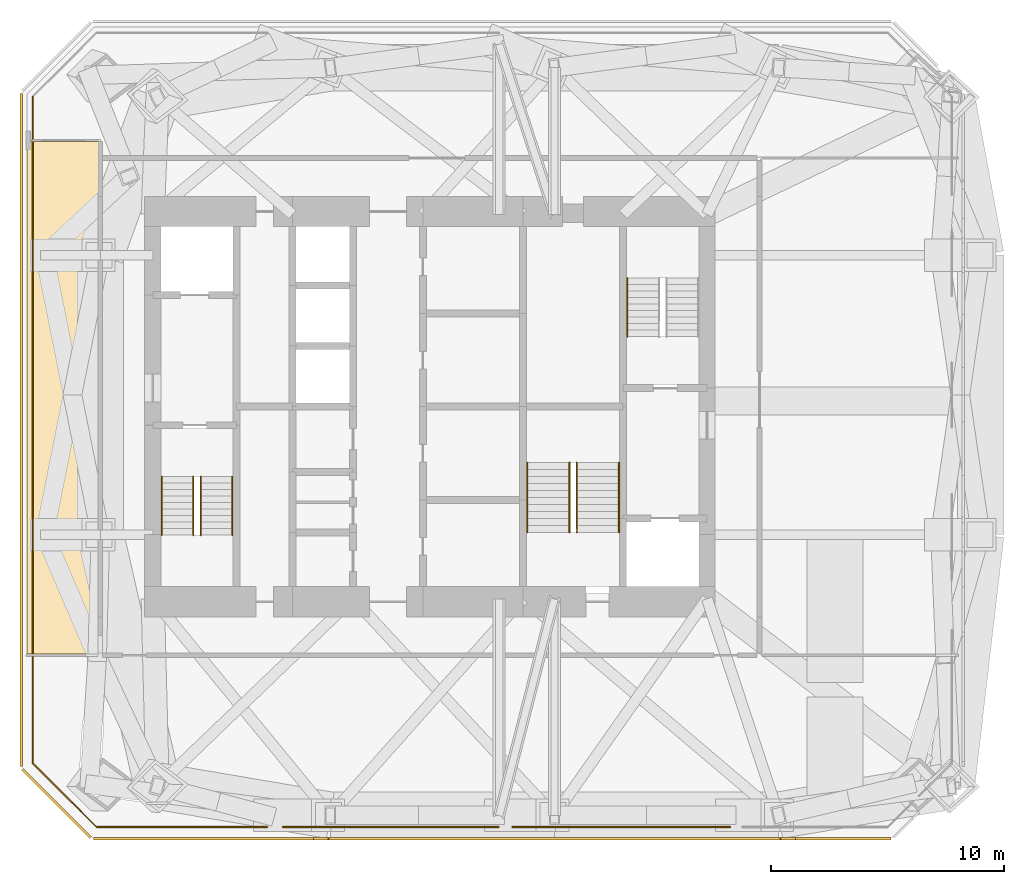
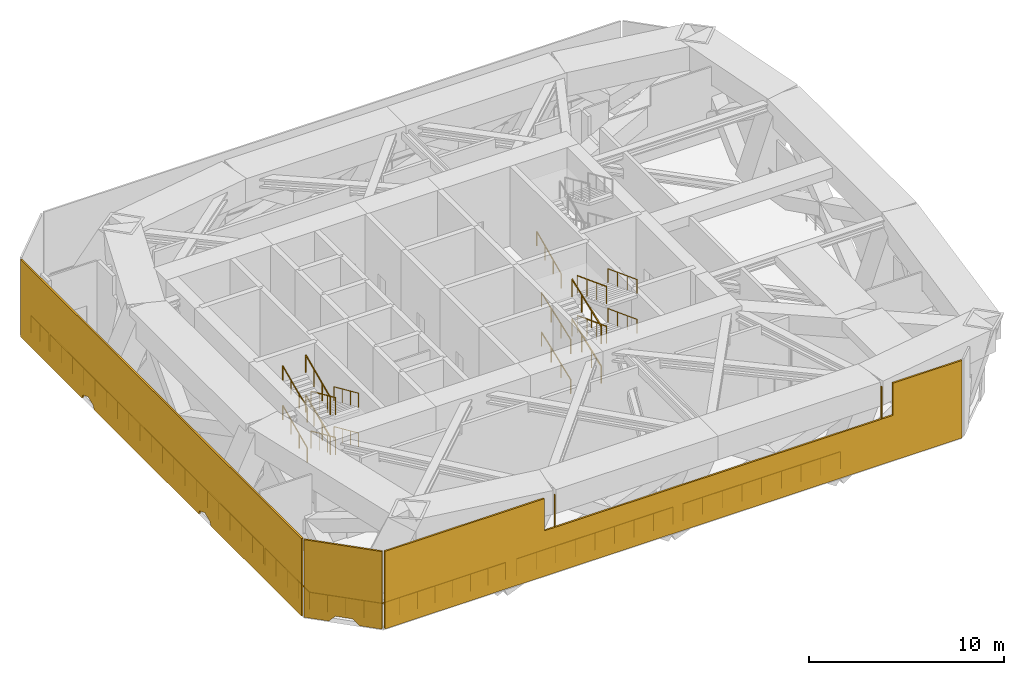
# One storey, part 7 of 9: 24 railings, 3 shading devices, 1 covering.
"""IFC4 building model written with IfcOpenShell, lengths in metres."""

from ifc_helpers import new_model, si_unit, direction, frame, origin, origin_2d, place, context, subcontext, project, spatial, polyline, rectangle, circle, outline, extrude, material, layer, layer_set, constituent, constituent_set, type_object, element, save


model = new_model("IFC4")

# Units and contexts
model_context = context("Model", 3, precision=1e-05, world=origin(), true_north=direction((0.0, 1.0)))
body_context = subcontext(model_context, "Body", "Model", "MODEL_VIEW")
ifc_project = project(units=[si_unit("LENGTHUNIT", "METRE"), si_unit("AREAUNIT", "SQUARE_METRE"), si_unit("VOLUMEUNIT", "CUBIC_METRE"), si_unit("PLANEANGLEUNIT", "RADIAN"), si_unit("MASSUNIT", "GRAM", prefix="KILO")], contexts=[model_context])

# Site, building, storey
site_placement = place(None, origin())
site = spatial("IfcSite", under=ifc_project, at=site_placement, CompositionType="ELEMENT")
building_placement = place(site_placement, origin())
building = spatial("IfcBuilding", under=site, at=building_placement, Name="Jalousie Tower", CompositionType="ELEMENT")
storey_placement = place(building_placement, frame((0.0, 0.0, 212.949951171875)))
storey = spatial("IfcBuildingStorey", under=building, at=storey_placement, Name="L58", CompositionType="ELEMENT", Elevation=212.949951171875)

# Covering
ifc_material_1 = material(Name="Sand-cement screed on resilient layer", Category="concrete")
ifc_layer_1 = layer(ifc_material_1, 0.1201171875)
ifc_layer_set_1 = layer_set([ifc_layer_1], Name="Sand-cement screed on resilient layer")
covering_type = type_object("IfcCoveringType", Name="FLOATING PLANT SCREED 120", PredefinedType="FLOORING", material=ifc_layer_set_1)
covering_placement = place(storey_placement, origin())
element("IfcCovering", 1, at=covering_placement, inside=storey, type_object=covering_type, Name="Floating screed Air handling plant room", PredefinedType="FLOORING", context=body_context, shape_type="SweptSolid", body=[
    extrude(outline(polyline([(14.60009765625, 7.875), (14.60009765625, 29.875), (17.699951171875, 29.875), (17.699951171875, 7.875), (14.60009765625, 7.875)])), origin(), (0.0, 0.0, 1.0), 0.1201171875),
])

# Railings
ifc_material_2 = material(Name="Stainless steel AISI 316", Category="steel")
railing_type_1 = type_object("IfcRailingType", Name="PLANT GUARDRAIL 1100", PredefinedType="GUARDRAIL", material=ifc_material_2)
railing_1_placement = place(storey_placement, frame((17.58642578125, 0.449951171875, 0.0)))
element("IfcRailing", 2, at=railing_1_placement, inside=storey, type_object=railing_type_1, Name="Plant floor guard L58 1", PredefinedType="GUARDRAIL", context=body_context, shape_type="SweptSolid", body=[
    extrude(rectangle(XDim=0.048095703125, YDim=0.048095703125, at=origin_2d()), frame((0.0, 0.0, 1.076171875), z_axis=(-0.707106781187, 0.707106781187, 0.0), x_axis=(-0.707106781187, -0.707106781187, 0.0)), (0.0, 0.0, 1.0), 3.869873046875),
    extrude(circle(Radius=0.02099609375, at=origin_2d()), origin(), (0.0, 0.0, 1.0), 1.052001953125),
    extrude(circle(Radius=0.02099609375, at=origin_2d()), frame((-0.68408203125, 0.68408203125, 0.0)), (0.0, 0.0, 1.0), 1.052001953125),
    extrude(circle(Radius=0.02099609375, at=origin_2d()), frame((-1.3681640625, 1.3681640625, 0.0)), (0.0, 0.0, 1.0), 1.052001953125),
    extrude(circle(Radius=0.02099609375, at=origin_2d()), frame((-2.05224609375, 2.05224609375, 0.0)), (0.0, 0.0, 1.0), 1.052001953125),
    extrude(circle(Radius=0.02099609375, at=origin_2d()), frame((-2.736328125, 2.736328125, 0.0)), (0.0, 0.0, 1.0), 1.052001953125),
])
railing_2_placement = place(storey_placement, frame((14.85009765625, 3.186279296875, 0.0)))
element("IfcRailing", 3, at=railing_2_placement, inside=storey, type_object=railing_type_1, Name="Plant floor guard L58 2", PredefinedType="GUARDRAIL", context=body_context, shape_type="SweptSolid", body=[
    extrude(rectangle(XDim=0.048095703125, YDim=0.048095703125, at=origin_2d()), frame((0.0, 0.0, 1.076171875), z_axis=(0.0, 1.0, 0.0), x_axis=(-1.0, 0.0, 0.0)), (0.0, 0.0, 1.0), 4.568603515625),
    extrude(circle(Radius=0.02099609375, at=origin_2d()), origin(), (0.0, 0.0, 1.0), 1.052001953125),
    extrude(circle(Radius=0.02099609375, at=origin_2d()), frame((0.0, 1.14208984375, 0.0)), (0.0, 0.0, 1.0), 1.052001953125),
    extrude(circle(Radius=0.02099609375, at=origin_2d()), frame((0.0, 2.2841796875, 0.0)), (0.0, 0.0, 1.0), 1.052001953125),
    extrude(circle(Radius=0.02099609375, at=origin_2d()), frame((0.0, 3.426513671875, 0.0)), (0.0, 0.0, 1.0), 1.052001953125),
    extrude(circle(Radius=0.02099609375, at=origin_2d()), frame((0.0, 4.568603515625, 0.0)), (0.0, 0.0, 1.0), 1.052001953125),
])
railing_3_placement = place(storey_placement, frame((14.85009765625, 7.89501953125, 0.0)))
element("IfcRailing", 4, at=railing_3_placement, inside=storey, type_object=railing_type_1, Name="Plant floor guard L58 3", PredefinedType="GUARDRAIL", context=body_context, shape_type="SweptSolid", body=[
    extrude(rectangle(XDim=0.048095703125, YDim=0.048095703125, at=origin_2d()), frame((0.0, 0.0, 1.076171875), z_axis=(0.0, 1.0, 0.0), x_axis=(-1.0, 0.0, 0.0)), (0.0, 0.0, 1.0), 21.9599609375),
    extrude(circle(Radius=0.02099609375, at=origin_2d()), origin(), (0.0, 0.0, 1.0), 1.052001953125),
    extrude(circle(Radius=0.02099609375, at=origin_2d()), frame((0.0, 1.15576171875, 0.0)), (0.0, 0.0, 1.0), 1.052001953125),
    extrude(circle(Radius=0.02099609375, at=origin_2d()), frame((0.0, 2.3115234375, 0.0)), (0.0, 0.0, 1.0), 1.052001953125),
    extrude(circle(Radius=0.02099609375, at=origin_2d()), frame((0.0, 3.46728515625, 0.0)), (0.0, 0.0, 1.0), 1.052001953125),
    extrude(circle(Radius=0.02099609375, at=origin_2d()), frame((0.0, 4.623046875, 0.0)), (0.0, 0.0, 1.0), 1.052001953125),
    extrude(circle(Radius=0.02099609375, at=origin_2d()), frame((0.0, 5.779052734375, 0.0)), (0.0, 0.0, 1.0), 1.052001953125),
    extrude(circle(Radius=0.02099609375, at=origin_2d()), frame((0.0, 6.934814453125, 0.0)), (0.0, 0.0, 1.0), 1.052001953125),
    extrude(circle(Radius=0.02099609375, at=origin_2d()), frame((0.0, 8.090576171875, 0.0)), (0.0, 0.0, 1.0), 1.052001953125),
    extrude(circle(Radius=0.02099609375, at=origin_2d()), frame((0.0, 9.246337890625, 0.0)), (0.0, 0.0, 1.0), 1.052001953125),
    extrude(circle(Radius=0.02099609375, at=origin_2d()), frame((0.0, 10.402099609375, 0.0)), (0.0, 0.0, 1.0), 1.052001953125),
    extrude(circle(Radius=0.02099609375, at=origin_2d()), frame((0.0, 11.557861328125, 0.0)), (0.0, 0.0, 1.0), 1.052001953125),
    extrude(circle(Radius=0.02099609375, at=origin_2d()), frame((0.0, 12.713623046875, 0.0)), (0.0, 0.0, 1.0), 1.052001953125),
    extrude(circle(Radius=0.02099609375, at=origin_2d()), frame((0.0, 13.869384765625, 0.0)), (0.0, 0.0, 1.0), 1.052001953125),
    extrude(circle(Radius=0.02099609375, at=origin_2d()), frame((0.0, 15.025146484375, 0.0)), (0.0, 0.0, 1.0), 1.052001953125),
    extrude(circle(Radius=0.02099609375, at=origin_2d()), frame((0.0, 16.180908203125, 0.0)), (0.0, 0.0, 1.0), 1.052001953125),
    extrude(circle(Radius=0.02099609375, at=origin_2d()), frame((0.0, 17.3369140625, 0.0)), (0.0, 0.0, 1.0), 1.052001953125),
    extrude(circle(Radius=0.02099609375, at=origin_2d()), frame((0.0, 18.49267578125, 0.0)), (0.0, 0.0, 1.0), 1.052001953125),
    extrude(circle(Radius=0.02099609375, at=origin_2d()), frame((0.0, 19.6484375, 0.0)), (0.0, 0.0, 1.0), 1.052001953125),
    extrude(circle(Radius=0.02099609375, at=origin_2d()), frame((0.0, 20.80419921875, 0.0)), (0.0, 0.0, 1.0), 1.052001953125),
    extrude(circle(Radius=0.02099609375, at=origin_2d()), frame((0.0, 21.9599609375, 0.0)), (0.0, 0.0, 1.0), 1.052001953125),
])
railing_4_placement = place(storey_placement, frame((14.85009765625, 29.9951171875, 0.0)))
element("IfcRailing", 5, at=railing_4_placement, inside=storey, type_object=railing_type_1, Name="Plant floor guard L58 4", PredefinedType="GUARDRAIL", context=body_context, shape_type="SweptSolid", body=[
    extrude(rectangle(XDim=0.048095703125, YDim=0.048095703125, at=origin_2d()), frame((0.0, 0.0, 1.076171875), z_axis=(0.0, 1.0, 0.0), x_axis=(-1.0, 0.0, 0.0)), (0.0, 0.0, 1.0), 1.818603515625),
    extrude(circle(Radius=0.02099609375, at=origin_2d()), origin(), (0.0, 0.0, 1.0), 1.052001953125),
    extrude(circle(Radius=0.02099609375, at=origin_2d()), frame((0.0, 0.9091796875, 0.0)), (0.0, 0.0, 1.0), 1.052001953125),
    extrude(circle(Radius=0.02099609375, at=origin_2d()), frame((0.0, 1.818603515625, 0.0)), (0.0, 0.0, 1.0), 1.052001953125),
])
railing_5_placement = place(storey_placement, frame((24.91748046875, 0.449951171875, 0.0)))
element("IfcRailing", 6, at=railing_5_placement, inside=storey, type_object=railing_type_1, Name="Plant floor guard L58 21", PredefinedType="GUARDRAIL", context=body_context, shape_type="SweptSolid", body=[
    extrude(rectangle(XDim=0.048095703125, YDim=0.048095703125, at=origin_2d()), frame((0.0, 0.0, 1.076171875), z_axis=(-1.0, 0.0, 0.0), x_axis=(0.0, -1.0, 0.0)), (0.0, 0.0, 1.0), 7.3310546875),
    extrude(circle(Radius=0.02099609375, at=origin_2d()), origin(), (0.0, 0.0, 1.0), 1.052001953125),
    extrude(circle(Radius=0.02099609375, at=origin_2d()), frame((-1.04736328125, 0.0, 0.0)), (0.0, 0.0, 1.0), 1.052001953125),
    extrude(circle(Radius=0.02099609375, at=origin_2d()), frame((-2.094482421875, 0.0, 0.0)), (0.0, 0.0, 1.0), 1.052001953125),
    extrude(circle(Radius=0.02099609375, at=origin_2d()), frame((-3.141845703125, 0.0, 0.0)), (0.0, 0.0, 1.0), 1.052001953125),
    extrude(circle(Radius=0.02099609375, at=origin_2d()), frame((-4.189208984375, 0.0, 0.0)), (0.0, 0.0, 1.0), 1.052001953125),
    extrude(circle(Radius=0.02099609375, at=origin_2d()), frame((-5.236572265625, 0.0, 0.0)), (0.0, 0.0, 1.0), 1.052001953125),
    extrude(circle(Radius=0.02099609375, at=origin_2d()), frame((-6.28369140625, 0.0, 0.0)), (0.0, 0.0, 1.0), 1.052001953125),
    extrude(circle(Radius=0.02099609375, at=origin_2d()), frame((-7.3310546875, 0.0, 0.0)), (0.0, 0.0, 1.0), 1.052001953125),
])
railing_6_placement = place(storey_placement, frame((34.85498046875, 0.449951171875, 0.0)))
element("IfcRailing", 7, at=railing_6_placement, inside=storey, type_object=railing_type_1, Name="Plant floor guard L58 22", PredefinedType="GUARDRAIL", context=body_context, shape_type="SweptSolid", body=[
    extrude(rectangle(XDim=0.048095703125, YDim=0.048095703125, at=origin_2d()), frame((0.0, 0.0, 1.076171875), z_axis=(-1.0, 0.0, 0.0), x_axis=(0.0, -1.0, 0.0)), (0.0, 0.0, 1.0), 9.279296875),
    extrude(circle(Radius=0.02099609375, at=origin_2d()), origin(), (0.0, 0.0, 1.0), 1.052001953125),
    extrude(circle(Radius=0.02099609375, at=origin_2d()), frame((-1.159912109375, 0.0, 0.0)), (0.0, 0.0, 1.0), 1.052001953125),
    extrude(circle(Radius=0.02099609375, at=origin_2d()), frame((-2.31982421875, 0.0, 0.0)), (0.0, 0.0, 1.0), 1.052001953125),
    extrude(circle(Radius=0.02099609375, at=origin_2d()), frame((-3.479736328125, 0.0, 0.0)), (0.0, 0.0, 1.0), 1.052001953125),
    extrude(circle(Radius=0.02099609375, at=origin_2d()), frame((-4.6396484375, 0.0, 0.0)), (0.0, 0.0, 1.0), 1.052001953125),
    extrude(circle(Radius=0.02099609375, at=origin_2d()), frame((-5.799560546875, 0.0, 0.0)), (0.0, 0.0, 1.0), 1.052001953125),
    extrude(circle(Radius=0.02099609375, at=origin_2d()), frame((-6.95947265625, 0.0, 0.0)), (0.0, 0.0, 1.0), 1.052001953125),
    extrude(circle(Radius=0.02099609375, at=origin_2d()), frame((-8.119384765625, 0.0, 0.0)), (0.0, 0.0, 1.0), 1.052001953125),
    extrude(circle(Radius=0.02099609375, at=origin_2d()), frame((-9.279296875, 0.0, 0.0)), (0.0, 0.0, 1.0), 1.052001953125),
])
railing_7_placement = place(storey_placement, frame((44.79248046875, 0.449951171875, 0.0)))
element("IfcRailing", 8, at=railing_7_placement, inside=storey, type_object=railing_type_1, Name="Plant floor guard L58 23", PredefinedType="GUARDRAIL", context=body_context, shape_type="SweptSolid", body=[
    extrude(rectangle(XDim=0.048095703125, YDim=0.048095703125, at=origin_2d()), frame((0.0, 0.0, 1.076171875), z_axis=(-1.0, 0.0, 0.0), x_axis=(0.0, -1.0, 0.0)), (0.0, 0.0, 1.0), 9.35107421875),
    extrude(circle(Radius=0.02099609375, at=origin_2d()), origin(), (0.0, 0.0, 1.0), 1.052001953125),
    extrude(circle(Radius=0.02099609375, at=origin_2d()), frame((-1.1689453125, 0.0, 0.0)), (0.0, 0.0, 1.0), 1.052001953125),
    extrude(circle(Radius=0.02099609375, at=origin_2d()), frame((-2.337890625, 0.0, 0.0)), (0.0, 0.0, 1.0), 1.052001953125),
    extrude(circle(Radius=0.02099609375, at=origin_2d()), frame((-3.506591796875, 0.0, 0.0)), (0.0, 0.0, 1.0), 1.052001953125),
    extrude(circle(Radius=0.02099609375, at=origin_2d()), frame((-4.675537109375, 0.0, 0.0)), (0.0, 0.0, 1.0), 1.052001953125),
    extrude(circle(Radius=0.02099609375, at=origin_2d()), frame((-5.844482421875, 0.0, 0.0)), (0.0, 0.0, 1.0), 1.052001953125),
    extrude(circle(Radius=0.02099609375, at=origin_2d()), frame((-7.01318359375, 0.0, 0.0)), (0.0, 0.0, 1.0), 1.052001953125),
    extrude(circle(Radius=0.02099609375, at=origin_2d()), frame((-8.18212890625, 0.0, 0.0)), (0.0, 0.0, 1.0), 1.052001953125),
    extrude(circle(Radius=0.02099609375, at=origin_2d()), frame((-9.35107421875, 0.0, 0.0)), (0.0, 0.0, 1.0), 1.052001953125),
])

# Shading devices
ifc_material_3 = material(Name="Aluminium storm louvres", Category="aluminium")
ifc_layer_2 = layer(ifc_material_3, 0.10009765625)
ifc_layer_set_2 = layer_set([ifc_layer_2], Name="Aluminium storm louvres")
shading_device_type = type_object("IfcShadingDeviceType", Name="PLANT LOUVRE SCREEN", PredefinedType="JALOUSIE", material=ifc_layer_set_2)
shading_device_1_placement = place(storey_placement, frame((51.699951171875, -0.10009765625, 4.719970703125), z_axis=(0.0, -1.0, 0.0), x_axis=(-1.0, 0.0, 0.0)))
element("IfcShadingDevice", 9, at=shading_device_1_placement, inside=storey, type_object=shading_device_type, Name="Plant louvre screen L58 1", PredefinedType="JALOUSIE", context=body_context, shape_type="SweptSolid", body=[
    extrude(outline(polyline([(0.0, 0.0), (4.100830078125, 0.0), (4.100830078125, 2.02001953125), (4.722412109375, 2.02001953125), (4.722412109375, 0.0), (4.77490234375, 0.0), (4.77490234375, 2.02001953125), (24.125, 2.02001953125), (24.125, 0.0), (24.177490234375, 0.0), (24.177490234375, 2.02001953125), (24.799072265625, 2.02001953125), (24.799072265625, 0.0), (34.25, 0.0), (34.25, 4.869873046875), (0.0, 4.869873046875), (0.0, 0.0)])), origin(), (0.0, 0.0, -1.0), 0.10009765625),
])
shading_device_2_placement = place(storey_placement, frame((14.300048828125, 31.949951171875, -0.14990234375), z_axis=(-1.0, 0.0, 0.0), x_axis=(0.0, -1.0, 0.0)))
element("IfcShadingDevice", 10, at=shading_device_2_placement, inside=storey, type_object=shading_device_type, Name="Plant louvre screen L58 9", PredefinedType="JALOUSIE", context=body_context, shape_type="SweptSolid", body=[
    extrude(outline(polyline([(0.0, 0.0), (6.319091796875, 0.0), (6.419677734375, 0.24267578125), (6.949951171875, 0.46240234375), (7.480224609375, 0.24267578125), (7.580810546875, 0.0), (18.319091796875, 0.0), (18.419677734375, 0.24267578125), (18.949951171875, 0.46240234375), (19.480224609375, 0.24267578125), (19.580810546875, 0.0), (28.89990234375, 0.0), (28.89990234375, 4.869873046875), (0.0, 4.869873046875), (0.0, 0.0)])), origin(), (0.0, 0.0, -1.0), 0.10009765625),
])
shading_device_3_placement = place(storey_placement, frame((14.364501953125, 2.893798828125, -0.14990234375), z_axis=(-0.707076617731, -0.707136943246, -1.242832e-05), x_axis=(0.707136943301, -0.707076617786, -1.114e-09)))
element("IfcShadingDevice", 11, at=shading_device_3_placement, inside=storey, type_object=shading_device_type, Name="Plant louvre screen L58 10", PredefinedType="JALOUSIE", context=body_context, shape_type="SweptSolid", body=[
    extrude(outline(polyline([(0.0, 0.0), (1.3049365684299352, 0.0), (1.6816228461289942, 0.3703613287157347), (2.585877073795272, 0.36254883020309037), (2.9421926003322714, 2.6919357209640154e-09), (4.142685899135397, 4.665756999288825e-09), (4.142685893710235, 4.869873051164649), (-5.4251629129327675e-09, 4.869873046498892), (0.0, 0.0)])), origin(), (0.0, 0.0, -1.0), 0.10009765625),
])

# Railings
ifc_material_4 = material(Name="Steel ASTM A500 Grade C", Category="steel")
ifc_constituent_1 = constituent(ifc_material_4, Name="Body")
ifc_material_5 = material(Name="Hot-dip galvanised zinc coating")
ifc_constituent_2 = constituent(ifc_material_5, Name="Finish")
ifc_constituent_set_1 = constituent_set(constituents=[ifc_constituent_1, ifc_constituent_2])
railing_type_2 = type_object("IfcRailingType", Name="STAIR GUARD 1100", PredefinedType="GUARDRAIL", material=ifc_constituent_set_1)
railing_8_placement = place(storey_placement, frame((22.054931640625, 15.49755859375, 0.125)))
element("IfcRailing", 12, at=railing_8_placement, inside=storey, type_object=railing_type_2, Name="Exit stair A guard L58 flight 1", PredefinedType="GUARDRAIL", context=body_context, shape_type="SweptSolid", body=[
    extrude(rectangle(XDim=0.048095703125, YDim=0.048095703125, at=origin_2d()), frame((0.0, 0.0, 1.076171875), z_axis=(0.0, -0.913139058521, 0.407648205936), x_axis=(1.0, 0.0, 0.0)), (0.0, 0.0, 1.0), 2.759765625),
    extrude(circle(Radius=0.02099609375, at=origin_2d()), origin(), (0.0, 0.0, 1.0), 1.052001953125),
    extrude(circle(Radius=0.02099609375, at=origin_2d()), frame((0.0, -0.840087890625, 0.375)), (0.0, 0.0, 1.0), 1.052001953125),
    extrude(circle(Radius=0.02099609375, at=origin_2d()), frame((0.0, -1.679931640625, 0.75)), (0.0, 0.0, 1.0), 1.052001953125),
    extrude(circle(Radius=0.02099609375, at=origin_2d()), frame((0.0, -2.52001953125, 1.125)), (0.0, 0.0, 1.0), 1.052001953125),
])
railing_9_placement = place(storey_placement, frame((21.7451171875, 12.9775390625, 1.375)))
element("IfcRailing", 13, at=railing_9_placement, inside=storey, type_object=railing_type_2, Name="Exit stair A guard L58 flight 2", PredefinedType="GUARDRAIL", context=body_context, shape_type="SweptSolid", body=[
    extrude(rectangle(XDim=0.048095703125, YDim=0.048095703125, at=origin_2d()), frame((0.0, 0.0, 1.076171875), z_axis=(0.0, 0.913139058521, 0.407648205936), x_axis=(-1.0, 0.0, 0.0)), (0.0, 0.0, 1.0), 2.759765625),
    extrude(circle(Radius=0.02099609375, at=origin_2d()), origin(), (0.0, 0.0, 1.0), 1.052001953125),
    extrude(circle(Radius=0.02099609375, at=origin_2d()), frame((0.0, 0.840087890625, 0.375)), (0.0, 0.0, 1.0), 1.052001953125),
    extrude(circle(Radius=0.02099609375, at=origin_2d()), frame((0.0, 1.679931640625, 0.75)), (0.0, 0.0, 1.0), 1.052001953125),
    extrude(circle(Radius=0.02099609375, at=origin_2d()), frame((0.0, 2.52001953125, 1.125)), (0.0, 0.0, 1.0), 1.052001953125),
])
railing_10_placement = place(storey_placement, frame((22.054931640625, 15.49755859375, 2.625)))
element("IfcRailing", 14, at=railing_10_placement, inside=storey, type_object=railing_type_2, Name="Exit stair A guard L58 flight 3", PredefinedType="GUARDRAIL", context=body_context, shape_type="SweptSolid", body=[
    extrude(rectangle(XDim=0.048095703125, YDim=0.048095703125, at=origin_2d()), frame((0.0, 0.0, 1.076171875), z_axis=(0.0, -0.913139058521, 0.407648205936), x_axis=(1.0, 0.0, 0.0)), (0.0, 0.0, 1.0), 2.759765625),
    extrude(circle(Radius=0.02099609375, at=origin_2d()), origin(), (0.0, 0.0, 1.0), 1.052001953125),
    extrude(circle(Radius=0.02099609375, at=origin_2d()), frame((0.0, -0.840087890625, 0.375)), (0.0, 0.0, 1.0), 1.052001953125),
    extrude(circle(Radius=0.02099609375, at=origin_2d()), frame((0.0, -1.679931640625, 0.75)), (0.0, 0.0, 1.0), 1.052001953125),
    extrude(circle(Radius=0.02099609375, at=origin_2d()), frame((0.0, -2.52001953125, 1.125)), (0.0, 0.0, 1.0), 1.052001953125),
])
railing_11_placement = place(storey_placement, frame((21.7451171875, 12.9775390625, 3.875)))
element("IfcRailing", 15, at=railing_11_placement, inside=storey, type_object=railing_type_2, Name="Exit stair A guard L58 flight 4", PredefinedType="GUARDRAIL", context=body_context, shape_type="SweptSolid", body=[
    extrude(rectangle(XDim=0.048095703125, YDim=0.048095703125, at=origin_2d()), frame((0.0, 0.0, 1.076171875), z_axis=(0.0, 0.913139058521, 0.407648205936), x_axis=(-1.0, 0.0, 0.0)), (0.0, 0.0, 1.0), 2.759765625),
    extrude(circle(Radius=0.02099609375, at=origin_2d()), origin(), (0.0, 0.0, 1.0), 1.052001953125),
    extrude(circle(Radius=0.02099609375, at=origin_2d()), frame((0.0, 0.840087890625, 0.375)), (0.0, 0.0, 1.0), 1.052001953125),
    extrude(circle(Radius=0.02099609375, at=origin_2d()), frame((0.0, 1.679931640625, 0.75)), (0.0, 0.0, 1.0), 1.052001953125),
    extrude(circle(Radius=0.02099609375, at=origin_2d()), frame((0.0, 2.52001953125, 1.125)), (0.0, 0.0, 1.0), 1.052001953125),
])
railing_12_placement = place(storey_placement, frame((37.89501953125, 13.097412109375, 0.11376953125)))
element("IfcRailing", 16, at=railing_12_placement, inside=storey, type_object=railing_type_2, Name="Exit stair C guard L58 flight 1", PredefinedType="GUARDRAIL", context=body_context, shape_type="SweptSolid", body=[
    extrude(rectangle(XDim=0.048095703125, YDim=0.048095703125, at=origin_2d()), frame((0.0, 0.0, 1.076171875), z_axis=(0.0, 0.935173195665, 0.354190759491), x_axis=(-1.0, 0.0, 0.0)), (0.0, 0.0, 1.0), 3.2080078125),
    extrude(circle(Radius=0.02099609375, at=origin_2d()), origin(), (0.0, 0.0, 1.0), 1.052001953125),
    extrude(circle(Radius=0.02099609375, at=origin_2d()), frame((0.0, 1.0, 0.378662109375)), (0.0, 0.0, 1.0), 1.052001953125),
    extrude(circle(Radius=0.02099609375, at=origin_2d()), frame((0.0, 2.0, 0.757568359375)), (0.0, 0.0, 1.0), 1.052001953125),
    extrude(circle(Radius=0.02099609375, at=origin_2d()), frame((0.0, 3.0, 1.13623046875)), (0.0, 0.0, 1.0), 1.052001953125),
])
railing_13_placement = place(storey_placement, frame((38.205078125, 16.097412109375, 1.36376953125)))
element("IfcRailing", 17, at=railing_13_placement, inside=storey, type_object=railing_type_2, Name="Exit stair C guard L58 flight 2", PredefinedType="GUARDRAIL", context=body_context, shape_type="SweptSolid", body=[
    extrude(rectangle(XDim=0.048095703125, YDim=0.048095703125, at=origin_2d()), frame((0.0, 0.0, 1.076171875), z_axis=(0.0, -0.935173195665, 0.354190759491), x_axis=(1.0, 0.0, 0.0)), (0.0, 0.0, 1.0), 3.2080078125),
    extrude(circle(Radius=0.02099609375, at=origin_2d()), origin(), (0.0, 0.0, 1.0), 1.052001953125),
    extrude(circle(Radius=0.02099609375, at=origin_2d()), frame((0.0, -1.0, 0.378662109375)), (0.0, 0.0, 1.0), 1.052001953125),
    extrude(circle(Radius=0.02099609375, at=origin_2d()), frame((0.0, -2.0, 0.757568359375)), (0.0, 0.0, 1.0), 1.052001953125),
    extrude(circle(Radius=0.02099609375, at=origin_2d()), frame((0.0, -3.0, 1.13623046875)), (0.0, 0.0, 1.0), 1.052001953125),
])
railing_14_placement = place(storey_placement, frame((37.89501953125, 13.097412109375, 2.61376953125)))
element("IfcRailing", 18, at=railing_14_placement, inside=storey, type_object=railing_type_2, Name="Exit stair C guard L58 flight 3", PredefinedType="GUARDRAIL", context=body_context, shape_type="SweptSolid", body=[
    extrude(rectangle(XDim=0.048095703125, YDim=0.048095703125, at=origin_2d()), frame((0.0, 0.0, 1.076171875), z_axis=(0.0, 0.935173195665, 0.354190759491), x_axis=(-1.0, 0.0, 0.0)), (0.0, 0.0, 1.0), 3.2080078125),
    extrude(circle(Radius=0.02099609375, at=origin_2d()), origin(), (0.0, 0.0, 1.0), 1.052001953125),
    extrude(circle(Radius=0.02099609375, at=origin_2d()), frame((0.0, 1.0, 0.378662109375)), (0.0, 0.0, 1.0), 1.052001953125),
    extrude(circle(Radius=0.02099609375, at=origin_2d()), frame((0.0, 2.0, 0.757568359375)), (0.0, 0.0, 1.0), 1.052001953125),
    extrude(circle(Radius=0.02099609375, at=origin_2d()), frame((0.0, 3.0, 1.13623046875)), (0.0, 0.0, 1.0), 1.052001953125),
])
railing_15_placement = place(storey_placement, frame((38.205078125, 16.097412109375, 3.86376953125)))
element("IfcRailing", 19, at=railing_15_placement, inside=storey, type_object=railing_type_2, Name="Exit stair C guard L58 flight 4", PredefinedType="GUARDRAIL", context=body_context, shape_type="SweptSolid", body=[
    extrude(rectangle(XDim=0.048095703125, YDim=0.048095703125, at=origin_2d()), frame((0.0, 0.0, 1.076171875), z_axis=(0.0, -0.935173195665, 0.354190759491), x_axis=(1.0, 0.0, 0.0)), (0.0, 0.0, 1.0), 3.2080078125),
    extrude(circle(Radius=0.02099609375, at=origin_2d()), origin(), (0.0, 0.0, 1.0), 1.052001953125),
    extrude(circle(Radius=0.02099609375, at=origin_2d()), frame((0.0, -1.0, 0.378662109375)), (0.0, 0.0, 1.0), 1.052001953125),
    extrude(circle(Radius=0.02099609375, at=origin_2d()), frame((0.0, -2.0, 0.757568359375)), (0.0, 0.0, 1.0), 1.052001953125),
    extrude(circle(Radius=0.02099609375, at=origin_2d()), frame((0.0, -3.0, 1.13623046875)), (0.0, 0.0, 1.0), 1.052001953125),
])
ifc_material_6 = material(Name="Steel ASTM A500 Grade C", Category="steel")
ifc_constituent_3 = constituent(ifc_material_6, Name="Body")
ifc_material_7 = material(Name="Hot-dip galvanised zinc coating")
ifc_constituent_4 = constituent(ifc_material_7, Name="Finish")
ifc_constituent_set_2 = constituent_set(constituents=[ifc_constituent_3, ifc_constituent_4])
railing_type_3 = type_object("IfcRailingType", Name="STAIR HANDRAIL 900", PredefinedType="HANDRAIL", material=ifc_constituent_set_2)
railing_16_placement = place(storey_placement, frame((23.419921875, 15.49755859375, 0.125)))
element("IfcRailing", 20, at=railing_16_placement, inside=storey, type_object=railing_type_3, Name="Exit stair A handrail L58 flight 1", PredefinedType="HANDRAIL", context=body_context, shape_type="SweptSolid", body=[
    extrude(circle(Radius=0.02392578125, at=origin_2d()), frame((0.0, 0.0, 0.8759765625), z_axis=(0.0, -0.913139058521, 0.407648205936), x_axis=(1.0, 0.0, 0.0)), (0.0, 0.0, 1.0), 2.759765625),
    extrude(circle(Radius=0.02099609375, at=origin_2d()), origin(), (0.0, 0.0, 1.0), 0.851806640625),
    extrude(circle(Radius=0.02099609375, at=origin_2d()), frame((0.0, -0.840087890625, 0.375)), (0.0, 0.0, 1.0), 0.851806640625),
    extrude(circle(Radius=0.02099609375, at=origin_2d()), frame((0.0, -1.679931640625, 0.75)), (0.0, 0.0, 1.0), 0.851806640625),
    extrude(circle(Radius=0.02099609375, at=origin_2d()), frame((0.0, -2.52001953125, 1.125)), (0.0, 0.0, 1.0), 0.851806640625),
])
railing_17_placement = place(storey_placement, frame((20.3798828125, 12.9775390625, 1.375)))
element("IfcRailing", 21, at=railing_17_placement, inside=storey, type_object=railing_type_3, Name="Exit stair A handrail L58 flight 2", PredefinedType="HANDRAIL", context=body_context, shape_type="SweptSolid", body=[
    extrude(circle(Radius=0.02392578125, at=origin_2d()), frame((0.0, 0.0, 0.8759765625), z_axis=(0.0, 0.913139058521, 0.407648205936), x_axis=(-1.0, 0.0, 0.0)), (0.0, 0.0, 1.0), 2.759765625),
    extrude(circle(Radius=0.02099609375, at=origin_2d()), origin(), (0.0, 0.0, 1.0), 0.851806640625),
    extrude(circle(Radius=0.02099609375, at=origin_2d()), frame((0.0, 0.840087890625, 0.375)), (0.0, 0.0, 1.0), 0.851806640625),
    extrude(circle(Radius=0.02099609375, at=origin_2d()), frame((0.0, 1.679931640625, 0.75)), (0.0, 0.0, 1.0), 0.851806640625),
    extrude(circle(Radius=0.02099609375, at=origin_2d()), frame((0.0, 2.52001953125, 1.125)), (0.0, 0.0, 1.0), 0.851806640625),
])
railing_18_placement = place(storey_placement, frame((23.419921875, 15.49755859375, 2.625)))
element("IfcRailing", 22, at=railing_18_placement, inside=storey, type_object=railing_type_3, Name="Exit stair A handrail L58 flight 3", PredefinedType="HANDRAIL", context=body_context, shape_type="SweptSolid", body=[
    extrude(circle(Radius=0.02392578125, at=origin_2d()), frame((0.0, 0.0, 0.8759765625), z_axis=(0.0, -0.913139058521, 0.407648205936), x_axis=(1.0, 0.0, 0.0)), (0.0, 0.0, 1.0), 2.759765625),
    extrude(circle(Radius=0.02099609375, at=origin_2d()), origin(), (0.0, 0.0, 1.0), 0.851806640625),
    extrude(circle(Radius=0.02099609375, at=origin_2d()), frame((0.0, -0.840087890625, 0.375)), (0.0, 0.0, 1.0), 0.851806640625),
    extrude(circle(Radius=0.02099609375, at=origin_2d()), frame((0.0, -1.679931640625, 0.75)), (0.0, 0.0, 1.0), 0.851806640625),
    extrude(circle(Radius=0.02099609375, at=origin_2d()), frame((0.0, -2.52001953125, 1.125)), (0.0, 0.0, 1.0), 0.851806640625),
])
for number, where, name in (
    (23, (20.3798828125, 12.9775390625, 3.875), "Exit stair A handrail L58 flight 4"),
    (24, (40.3798828125, 21.50244140625, 0.125), "Exit stair B handrail L58 flight 1"),
):
    element("IfcRailing", number, at=place(storey_placement, frame(where)), inside=storey, type_object=railing_type_3, Name=name, PredefinedType="HANDRAIL", context=body_context, shape_type="SweptSolid", body=[
        extrude(circle(Radius=0.02392578125, at=origin_2d()), frame((0.0, 0.0, 0.8759765625), z_axis=(0.0, 0.913139058521, 0.407648205936), x_axis=(-1.0, 0.0, 0.0)), (0.0, 0.0, 1.0), 2.759765625),
        extrude(circle(Radius=0.02099609375, at=origin_2d()), origin(), (0.0, 0.0, 1.0), 0.851806640625),
        extrude(circle(Radius=0.02099609375, at=origin_2d()), frame((0.0, 0.840087890625, 0.375)), (0.0, 0.0, 1.0), 0.851806640625),
        extrude(circle(Radius=0.02099609375, at=origin_2d()), frame((0.0, 1.679931640625, 0.75)), (0.0, 0.0, 1.0), 0.851806640625),
        extrude(circle(Radius=0.02099609375, at=origin_2d()), frame((0.0, 2.52001953125, 1.125)), (0.0, 0.0, 1.0), 0.851806640625),
    ])
railing_19_placement = place(storey_placement, frame((36.080078125, 13.097412109375, 0.11376953125)))
element("IfcRailing", 25, at=railing_19_placement, inside=storey, type_object=railing_type_3, Name="Exit stair C handrail L58 flight 1", PredefinedType="HANDRAIL", context=body_context, shape_type="SweptSolid", body=[
    extrude(circle(Radius=0.02392578125, at=origin_2d()), frame((0.0, 0.0, 0.8759765625), z_axis=(0.0, 0.935173195665, 0.354190759491), x_axis=(-1.0, 0.0, 0.0)), (0.0, 0.0, 1.0), 3.2080078125),
    extrude(circle(Radius=0.02099609375, at=origin_2d()), origin(), (0.0, 0.0, 1.0), 0.851806640625),
    extrude(circle(Radius=0.02099609375, at=origin_2d()), frame((0.0, 1.0, 0.378662109375)), (0.0, 0.0, 1.0), 0.851806640625),
    extrude(circle(Radius=0.02099609375, at=origin_2d()), frame((0.0, 2.0, 0.757568359375)), (0.0, 0.0, 1.0), 0.851806640625),
    extrude(circle(Radius=0.02099609375, at=origin_2d()), frame((0.0, 3.0, 1.13623046875)), (0.0, 0.0, 1.0), 0.851806640625),
])
railing_20_placement = place(storey_placement, frame((40.02001953125, 16.097412109375, 1.36376953125)))
element("IfcRailing", 26, at=railing_20_placement, inside=storey, type_object=railing_type_3, Name="Exit stair C handrail L58 flight 2", PredefinedType="HANDRAIL", context=body_context, shape_type="SweptSolid", body=[
    extrude(circle(Radius=0.02392578125, at=origin_2d()), frame((0.0, 0.0, 0.8759765625), z_axis=(0.0, -0.935173195665, 0.354190759491), x_axis=(1.0, 0.0, 0.0)), (0.0, 0.0, 1.0), 3.2080078125),
    extrude(circle(Radius=0.02099609375, at=origin_2d()), origin(), (0.0, 0.0, 1.0), 0.851806640625),
    extrude(circle(Radius=0.02099609375, at=origin_2d()), frame((0.0, -1.0, 0.378662109375)), (0.0, 0.0, 1.0), 0.851806640625),
    extrude(circle(Radius=0.02099609375, at=origin_2d()), frame((0.0, -2.0, 0.757568359375)), (0.0, 0.0, 1.0), 0.851806640625),
    extrude(circle(Radius=0.02099609375, at=origin_2d()), frame((0.0, -3.0, 1.13623046875)), (0.0, 0.0, 1.0), 0.851806640625),
])
railing_21_placement = place(storey_placement, frame((36.080078125, 13.097412109375, 2.61376953125)))
element("IfcRailing", 27, at=railing_21_placement, inside=storey, type_object=railing_type_3, Name="Exit stair C handrail L58 flight 3", PredefinedType="HANDRAIL", context=body_context, shape_type="SweptSolid", body=[
    extrude(circle(Radius=0.02392578125, at=origin_2d()), frame((0.0, 0.0, 0.8759765625), z_axis=(0.0, 0.935173195665, 0.354190759491), x_axis=(-1.0, 0.0, 0.0)), (0.0, 0.0, 1.0), 3.2080078125),
    extrude(circle(Radius=0.02099609375, at=origin_2d()), origin(), (0.0, 0.0, 1.0), 0.851806640625),
    extrude(circle(Radius=0.02099609375, at=origin_2d()), frame((0.0, 1.0, 0.378662109375)), (0.0, 0.0, 1.0), 0.851806640625),
    extrude(circle(Radius=0.02099609375, at=origin_2d()), frame((0.0, 2.0, 0.757568359375)), (0.0, 0.0, 1.0), 0.851806640625),
    extrude(circle(Radius=0.02099609375, at=origin_2d()), frame((0.0, 3.0, 1.13623046875)), (0.0, 0.0, 1.0), 0.851806640625),
])
railing_22_placement = place(storey_placement, frame((40.02001953125, 16.097412109375, 3.86376953125)))
element("IfcRailing", 28, at=railing_22_placement, inside=storey, type_object=railing_type_3, Name="Exit stair C handrail L58 flight 4", PredefinedType="HANDRAIL", context=body_context, shape_type="SweptSolid", body=[
    extrude(circle(Radius=0.02392578125, at=origin_2d()), frame((0.0, 0.0, 0.8759765625), z_axis=(0.0, -0.935173195665, 0.354190759491), x_axis=(1.0, 0.0, 0.0)), (0.0, 0.0, 1.0), 3.2080078125),
    extrude(circle(Radius=0.02099609375, at=origin_2d()), origin(), (0.0, 0.0, 1.0), 0.851806640625),
    extrude(circle(Radius=0.02099609375, at=origin_2d()), frame((0.0, -1.0, 0.378662109375)), (0.0, 0.0, 1.0), 0.851806640625),
    extrude(circle(Radius=0.02099609375, at=origin_2d()), frame((0.0, -2.0, 0.757568359375)), (0.0, 0.0, 1.0), 0.851806640625),
    extrude(circle(Radius=0.02099609375, at=origin_2d()), frame((0.0, -3.0, 1.13623046875)), (0.0, 0.0, 1.0), 0.851806640625),
])

save(model, "model.ifc")
